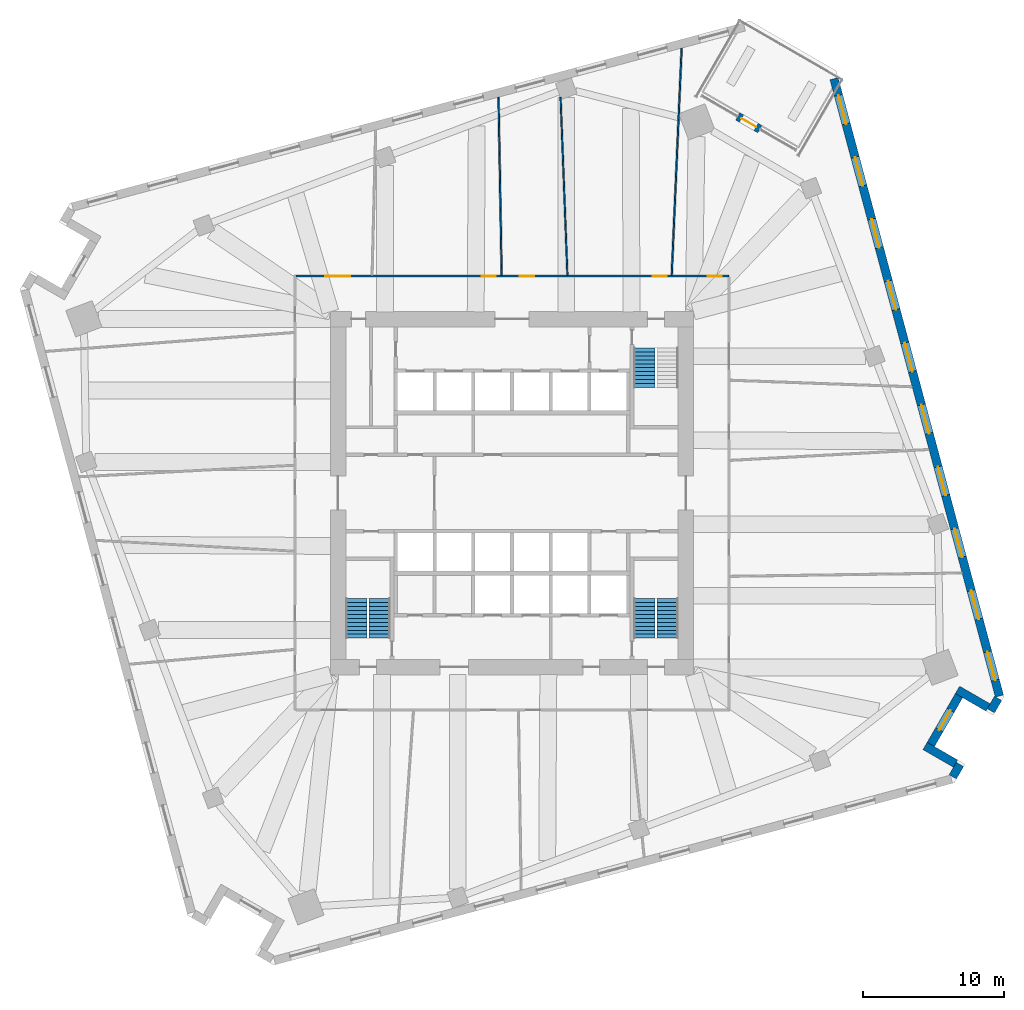
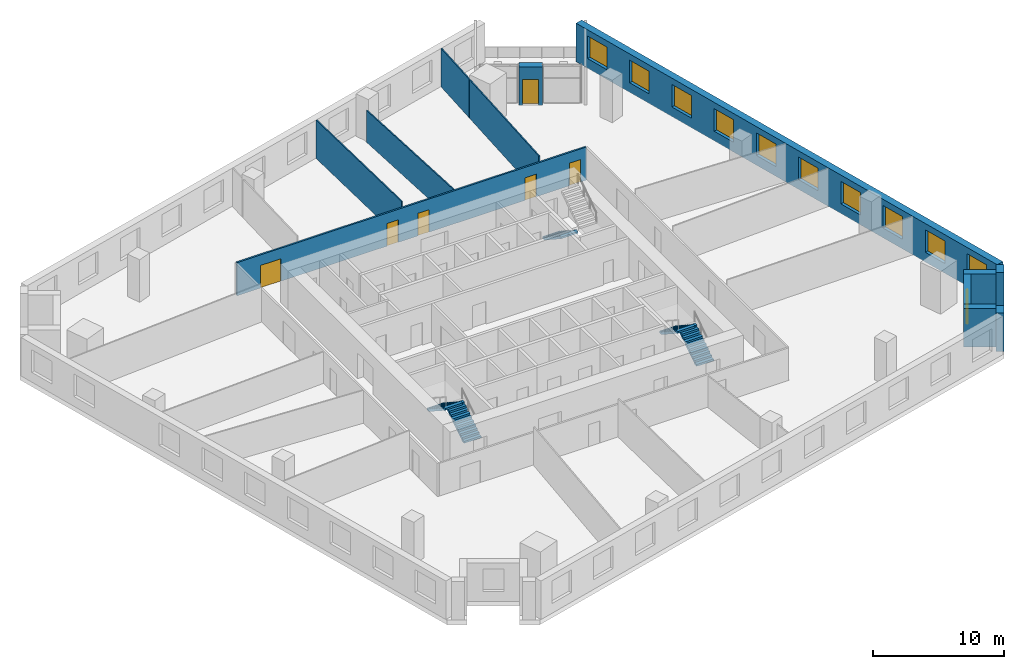
# One storey, part 10 of 13: 12 walls, 11 windows, 6 doors, 5 stair flights, 17 openings, 3 elements without a shape of their own.
"""IFC4 building model written with IfcOpenShell, lengths in metres."""

from ifc_helpers import new_model, si_unit, direction, frame, frame_2d, origin, place, context, subcontext, project, spatial, polyline, rectangle, outline, extrude, material, layer, layer_set, type_object, element, fill, aggregate, save


model = new_model("IFC4")

# Units and contexts
model_context = context("Model", 3, precision=1e-05, world=origin(), true_north=direction((0.0, 1.0)))
body_context = subcontext(model_context, "Body", "Model", "MODEL_VIEW")
ifc_project = project(units=[si_unit("LENGTHUNIT", "METRE"), si_unit("AREAUNIT", "SQUARE_METRE"), si_unit("VOLUMEUNIT", "CUBIC_METRE"), si_unit("PLANEANGLEUNIT", "RADIAN"), si_unit("MASSUNIT", "GRAM", prefix="KILO")], contexts=[model_context])

# Site, building, storey
site_placement = place(None, origin())
site = spatial("IfcSite", under=ifc_project, at=site_placement, CompositionType="ELEMENT")
building_placement = place(site_placement, origin())
building = spatial("IfcBuilding", under=site, at=building_placement, Name="Dilmun Exchange Tower", CompositionType="ELEMENT")
storey_placement = place(building_placement, frame((0.0, 0.0, 86.10009765625)))
storey = spatial("IfcBuildingStorey", under=building, at=storey_placement, Name="L19", CompositionType="ELEMENT", Elevation=86.10009765625)

# Wall, openings, doors
ifc_material_1 = material(Name="Corridor wall 150")
ifc_layer_1 = layer(ifc_material_1, 0.14990234375)
ifc_layer_set_1 = layer_set([ifc_layer_1], Name="Corridor wall 150")
wall_type_1 = type_object("IfcWallType", Name="Corridor wall 150", PredefinedType="PARTITIONING", material=ifc_layer_set_1)
wall_1_placement = place(storey_placement, frame((-15.324951171875, 15.39990234375, 0.0), z_axis=(0.0, 0.0, 1.0), x_axis=(1.0, 0.0, 0.0)))
wall_1 = element("IfcWall", 1, at=wall_1_placement, inside=storey, type_object=wall_type_1, Name="Corridor wall", PredefinedType="PARTITIONING", context=body_context, shape_type="SweptSolid", body=[
    extrude(rectangle(XDim=30.724853515625, YDim=0.14990234375, at=frame_2d((15.3623046875, 0.0))), origin(), (0.0, 0.0, 1.0), 3.079833984375),
])
opening_1_placement = place(wall_1_placement, frame((2.050048828125, 0.0, 0.0)))
opening_1 = element("IfcOpeningElement", 2, at=opening_1_placement, cuts=wall_1, Name="Opening TF18-D05", PredefinedType="OPENING", context=body_context, shape_type="SweptSolid", body=[
    extrude(rectangle(XDim=1.800048828125, YDim=2.10009765625, at=frame_2d((0.89990234375, 1.050048828125))), frame((0.0, 0.0849609375, 0.0), z_axis=(0.0, -1.0, 0.0), x_axis=(1.0, 0.0, 0.0)), (0.0, 0.0, 1.0), 0.169921875),
])
opening_2_placement = place(wall_1_placement, frame((13.18798828125, 0.0, 0.0)))
opening_2 = element("IfcOpeningElement", 3, at=opening_2_placement, cuts=wall_1, Name="Opening TF18-D09", PredefinedType="OPENING", context=body_context, shape_type="SweptSolid", body=[
    extrude(rectangle(XDim=1.0, YDim=2.10009765625, at=frame_2d((0.5, 1.050048828125))), frame((0.0, 0.0849609375, 0.0), z_axis=(0.0, -1.0, 0.0), x_axis=(1.0, 0.0, 0.0)), (0.0, 0.0, 1.0), 0.169921875),
])
opening_3_placement = place(wall_1_placement, frame((15.8916015625, 0.0, 0.0)))
opening_3 = element("IfcOpeningElement", 4, at=opening_3_placement, cuts=wall_1, Name="Opening TF18-D11", PredefinedType="OPENING", context=body_context, shape_type="SweptSolid", body=[
    extrude(rectangle(XDim=1.0, YDim=2.10009765625, at=frame_2d((0.5, 1.050048828125))), frame((0.0, 0.0849609375, 0.0), z_axis=(0.0, -1.0, 0.0), x_axis=(1.0, 0.0, 0.0)), (0.0, 0.0, 1.0), 0.169921875),
])
opening_4_placement = place(wall_1_placement, frame((25.311767578125, 0.0, 0.0)))
opening_4 = element("IfcOpeningElement", 5, at=opening_4_placement, cuts=wall_1, Name="Opening TF18-D13", PredefinedType="OPENING", context=body_context, shape_type="SweptSolid", body=[
    extrude(rectangle(XDim=1.0, YDim=2.10009765625, at=frame_2d((0.5, 1.050048828125))), frame((0.0, 0.0849609375, 0.0), z_axis=(0.0, -1.0, 0.0), x_axis=(1.0, 0.0, 0.0)), (0.0, 0.0, 1.0), 0.169921875),
])
opening_5_placement = place(wall_1_placement, frame((29.210693359375, 0.0, 0.0)))
opening_5 = element("IfcOpeningElement", 6, at=opening_5_placement, cuts=wall_1, Name="Opening TF18-D15", PredefinedType="OPENING", context=body_context, shape_type="SweptSolid", body=[
    extrude(rectangle(XDim=1.0, YDim=2.10009765625, at=frame_2d((0.5, 1.050048828125))), frame((0.0, 0.0849609375, 0.0), z_axis=(0.0, -1.0, 0.0), x_axis=(1.0, 0.0, 0.0)), (0.0, 0.0, 1.0), 0.169921875),
])
ifc_material_2 = material(Name="Fire door 1000 x 2100")
door_type_1 = type_object("IfcDoorType", Name="Fire door 1000 x 2100", OperationType="NOTDEFINED", PredefinedType="DOOR", material=ifc_material_2)
door_1_placement = place(opening_2_placement, origin())
door_1 = element("IfcDoor", 7, at=door_1_placement, inside=storey, type_object=door_type_1, Name="Door TF18-D09", OperationType="SINGLE_SWING_RIGHT", OverallHeight=2.10009765625, OverallWidth=1.0, PredefinedType="DOOR", context=body_context, shape_type="SweptSolid", body=[
    extrude(rectangle(XDim=1.0, YDim=2.10009765625, at=frame_2d((0.5, 1.050048828125))), frame((0.0, 0.02490234375, 0.0), z_axis=(0.0, -1.0, 0.0), x_axis=(1.0, 0.0, 0.0)), (0.0, 0.0, 1.0), 0.050048828125),
])
fill(opening_2, door_1)
door_2_placement = place(opening_3_placement, origin())
door_2 = element("IfcDoor", 8, at=door_2_placement, inside=storey, type_object=door_type_1, Name="Door TF18-D11", OperationType="SINGLE_SWING_LEFT", OverallHeight=2.10009765625, OverallWidth=1.0, PredefinedType="DOOR", context=body_context, shape_type="SweptSolid", body=[
    extrude(rectangle(XDim=1.0, YDim=2.10009765625, at=frame_2d((0.5, 1.050048828125))), frame((0.0, 0.02490234375, 0.0), z_axis=(0.0, -1.0, 0.0), x_axis=(1.0, 0.0, 0.0)), (0.0, 0.0, 1.0), 0.050048828125),
])
fill(opening_3, door_2)
door_3_placement = place(opening_4_placement, origin())
door_3 = element("IfcDoor", 9, at=door_3_placement, inside=storey, type_object=door_type_1, Name="Door TF18-D13", OperationType="SINGLE_SWING_RIGHT", OverallHeight=2.10009765625, OverallWidth=1.0, PredefinedType="DOOR", context=body_context, shape_type="SweptSolid", body=[
    extrude(rectangle(XDim=1.0, YDim=2.10009765625, at=frame_2d((0.5, 1.050048828125))), frame((0.0, 0.02490234375, 0.0), z_axis=(0.0, -1.0, 0.0), x_axis=(1.0, 0.0, 0.0)), (0.0, 0.0, 1.0), 0.050048828125),
])
fill(opening_4, door_3)
door_4_placement = place(opening_5_placement, origin())
door_4 = element("IfcDoor", 10, at=door_4_placement, inside=storey, type_object=door_type_1, Name="Door TF18-D15", OperationType="SINGLE_SWING_LEFT", OverallHeight=2.10009765625, OverallWidth=1.0, PredefinedType="DOOR", context=body_context, shape_type="SweptSolid", body=[
    extrude(rectangle(XDim=1.0, YDim=2.10009765625, at=frame_2d((0.5, 1.050048828125))), frame((0.0, 0.02490234375, 0.0), z_axis=(0.0, -1.0, 0.0), x_axis=(1.0, 0.0, 0.0)), (0.0, 0.0, 1.0), 0.050048828125),
])
fill(opening_5, door_4)
ifc_material_3 = material(Name="Fire door pair 1800 x 2100")
door_type_2 = type_object("IfcDoorType", Name="Fire door pair 1800 x 2100", OperationType="NOTDEFINED", PredefinedType="DOOR", material=ifc_material_3)
door_5_placement = place(opening_1_placement, origin())
door_5 = element("IfcDoor", 11, at=door_5_placement, inside=storey, type_object=door_type_2, Name="Door TF18-D05", OperationType="DOUBLE_DOOR_SINGLE_SWING", OverallHeight=2.10009765625, OverallWidth=1.800048828125, PredefinedType="DOOR", context=body_context, shape_type="SweptSolid", body=[
    extrude(rectangle(XDim=1.800048828125, YDim=2.10009765625, at=frame_2d((0.89990234375, 1.050048828125))), frame((0.0, 0.02490234375, 0.0), z_axis=(0.0, -1.0, 0.0), x_axis=(1.0, 0.0, 0.0)), (0.0, 0.0, 1.0), 0.050048828125),
])
fill(opening_1, door_5)

# Walls
ifc_material_4 = material(Name="Partition 100")
ifc_layer_2 = layer(ifc_material_4, 0.10009765625)
ifc_layer_set_2 = layer_set([ifc_layer_2], Name="Partition 100")
wall_type_2 = type_object("IfcWallType", Name="Partition 100", PredefinedType="PARTITIONING", material=ifc_layer_set_2)
wall_2_placement = place(storey_placement, frame((-0.9580078125, 28.10791015625, 0.0), z_axis=(0.0, 0.0, 1.0), x_axis=(0.017700788333, -0.999843328773, 0.0)))
element("IfcWall", 12, at=wall_2_placement, inside=storey, type_object=wall_type_2, Name="Partition", PredefinedType="PARTITIONING", context=body_context, shape_type="SweptSolid", body=[
    extrude(rectangle(XDim=12.634033203125, YDim=0.10009765625, at=frame_2d((6.31689453125, 0.0))), origin(), (0.0, 0.0, 1.0), 3.579833984375),
])
wall_3_placement = place(storey_placement, frame((3.44775390625, 28.089111328125, 0.0), z_axis=(0.0, 0.0, 1.0), x_axis=(0.038608436219, -0.999254416379, 0.0)))
element("IfcWall", 13, at=wall_3_placement, inside=storey, type_object=wall_type_2, Name="Partition", PredefinedType="PARTITIONING", context=body_context, shape_type="SweptSolid", body=[
    extrude(rectangle(XDim=12.621826171875, YDim=0.10009765625, at=frame_2d((6.31103515625, 0.0))), origin(), (0.0, 0.0, 1.0), 2.9599609375),
])
wall_4_placement = place(storey_placement, frame((11.33935546875, 15.477294921875, 0.0), z_axis=(0.0, 0.0, 1.0), x_axis=(0.04370366829, 0.999044538235, 0.0)))
element("IfcWall", 14, at=wall_4_placement, inside=storey, type_object=wall_type_2, Name="Partition", PredefinedType="PARTITIONING", context=body_context, shape_type="SweptSolid", body=[
    extrude(rectangle(XDim=11.451904296875, YDim=0.10009765625, at=frame_2d((5.72607421875, 0.0))), origin(), (0.0, 0.0, 1.0), 3.579833984375),
])
wall_5_placement = place(storey_placement, frame((11.8408203125, 26.939208984375, 0.0), z_axis=(0.0, 0.0, 1.0), x_axis=(0.04372159787, 0.999043753736, 0.0)))
element("IfcWall", 15, at=wall_5_placement, inside=storey, type_object=wall_type_2, Name="Partition", PredefinedType="PARTITIONING", context=body_context, shape_type="SweptSolid", body=[
    extrude(rectangle(XDim=4.656982421875, YDim=0.10009765625, at=frame_2d((2.32861328125, 0.0))), origin(), (0.0, 0.0, 1.0), 3.579833984375),
])
ifc_material_5 = material(Name="Precast concrete C50/60", Category="concrete")
ifc_layer_3 = layer(ifc_material_5, 0.60009765625)
ifc_layer_set_3 = layer_set([ifc_layer_3], Name="Precast concrete C50/60")
wall_type_3 = type_object("IfcWallType", Name="Precast stone-clad wall 600", PredefinedType="STANDARD", material=ifc_layer_set_3)
wall_6_placement = place(storey_placement, frame((31.29736328125, -20.14453125, 0.0), z_axis=(0.0, 0.0, 1.0), x_axis=(0.500008073096, 0.86602074273, 0.0)))
element("IfcWall", 16, at=wall_6_placement, inside=storey, type_object=wall_type_3, Name="Facade wall L19-16", PredefinedType="STANDARD", context=body_context, shape_type="SweptSolid", body=[
    extrude(rectangle(XDim=1.01123046875, YDim=0.60009765625, at=frame_2d((0.505615234375, 0.0))), origin(), (0.0, 0.0, 1.0), 3.579833984375),
])
wall_7_placement = place(storey_placement, frame((31.4931640625, -19.205322265625, 0.0), z_axis=(0.0, 0.0, 1.0), x_axis=(-0.866022959057, 0.500004234368, 0.0)))
element("IfcWall", 17, at=wall_7_placement, inside=storey, type_object=wall_type_3, Name="Facade wall L19-17", PredefinedType="STANDARD", context=body_context, shape_type="SweptSolid", body=[
    extrude(rectangle(XDim=2.5, YDim=0.60009765625, at=frame_2d((1.25, 0.0))), origin(), (0.0, 0.0, 1.0), 3.579833984375),
])

# Wall, opening, window
wall_8_placement = place(storey_placement, frame((29.738037109375, -17.845703125, 0.0), z_axis=(0.0, 0.0, 1.0), x_axis=(0.49999894854, 0.866026010844, 0.0)))
wall_8 = element("IfcWall", 18, at=wall_8_placement, inside=storey, type_object=wall_type_3, Name="Facade wall L19-18", PredefinedType="STANDARD", context=body_context, shape_type="SweptSolid", body=[
    extrude(rectangle(XDim=4.0, YDim=0.60009765625, at=frame_2d((2.0, 0.0))), origin(), (0.0, 0.0, 1.0), 3.579833984375),
])
opening_6_placement = place(wall_8_placement, frame((1.199951171875, 0.0, 0.89990234375)))
opening_6 = element("IfcOpeningElement", 19, at=opening_6_placement, cuts=wall_8, Name="Opening W160-210", PredefinedType="OPENING", context=body_context, shape_type="SweptSolid", body=[
    extrude(rectangle(XDim=1.60009765625, YDim=2.10009765625, at=frame_2d((0.800048828125, 1.050048828125))), frame((0.0, 0.31005859375, 0.0), z_axis=(0.0, -1.0, 0.0), x_axis=(1.0, 0.0, 0.0)), (0.0, 0.0, 1.0), 0.6201171875),
])
ifc_material_6 = material(Name="Clear low-emissivity glass in aluminium frame", Category="aluminium")
window_type_1 = type_object("IfcWindowType", Name="Punched window 1600 x 2100", PartitioningType="DOUBLE_PANEL_VERTICAL", PredefinedType="WINDOW", material=ifc_material_6)
window_1_placement = place(opening_6_placement, origin())
window_1 = element("IfcWindow", 20, at=window_1_placement, inside=storey, type_object=window_type_1, Name="Window 19.1", OverallHeight=2.10009765625, OverallWidth=1.60009765625, PartitioningType="SINGLE_PANEL", PredefinedType="WINDOW", context=body_context, shape_type="SweptSolid", body=[
    extrude(rectangle(XDim=1.60009765625, YDim=2.10009765625, at=frame_2d((0.800048828125, 1.050048828125))), frame((0.0, 0.030029296875, 0.0), z_axis=(0.0, -1.0, 0.0), x_axis=(1.0, 0.0, 0.0)), (0.0, 0.0, 1.0), 0.06005859375),
])
fill(opening_6, window_1)

# Walls
wall_9_placement = place(storey_placement, frame((31.628173828125, -13.9716796875, 0.0), z_axis=(0.0, 0.0, 1.0), x_axis=(0.866022959057, -0.500004234368, 0.0)))
element("IfcWall", 21, at=wall_9_placement, inside=storey, type_object=wall_type_3, Name="Facade wall L19-19", PredefinedType="STANDARD", context=body_context, shape_type="SweptSolid", body=[
    extrude(rectangle(XDim=2.5, YDim=0.60009765625, at=frame_2d((1.25, 0.0))), origin(), (0.0, 0.0, 1.0), 3.579833984375),
])
wall_10_placement = place(storey_placement, frame((34.0029296875, -15.458251953125, 0.0), z_axis=(0.0, 0.0, 1.0), x_axis=(0.500189113229, 0.865916191676, 0.0)))
element("IfcWall", 22, at=wall_10_placement, inside=storey, type_object=wall_type_3, Name="Facade wall L19-20", PredefinedType="STANDARD", context=body_context, shape_type="SweptSolid", body=[
    extrude(rectangle(XDim=1.01123046875, YDim=0.60009765625, at=frame_2d((0.505615234375, 0.0))), origin(), (0.0, 0.0, 1.0), 3.579833984375),
])

# Wall, openings, windows
wall_11_placement = place(storey_placement, frame((34.608642578125, -14.4091796875, 0.0), z_axis=(0.0, 0.0, 1.0), x_axis=(-0.258819814566, 0.965925620112, 0.0)))
wall_11 = element("IfcWall", 23, at=wall_11_placement, inside=storey, type_object=wall_type_3, Name="Facade wall L19-21", PredefinedType="STANDARD", context=body_context, shape_type="SweptSolid", body=[
    extrude(rectangle(XDim=45.375732421875, YDim=0.60009765625, at=frame_2d((22.68798828125, 0.0))), origin(), (0.0, 0.0, 1.0), 3.579833984375),
])
opening_7_placement = place(wall_11_placement, frame((1.162841796875, 0.0, 0.89990234375)))
opening_7 = element("IfcOpeningElement", 24, at=opening_7_placement, cuts=wall_11, Name="Opening W210-210", PredefinedType="OPENING", context=body_context, shape_type="SweptSolid", body=[
    extrude(rectangle(XDim=2.10009765625, YDim=2.10009765625, at=frame_2d((1.050048828125, 1.050048828125))), frame((0.0, 0.31005859375, 0.0), z_axis=(0.0, -1.0, 0.0), x_axis=(1.0, 0.0, 0.0)), (0.0, 0.0, 1.0), 0.6201171875),
])
opening_8_placement = place(wall_11_placement, frame((5.650634765625, 0.0, 0.89990234375)))
opening_8 = element("IfcOpeningElement", 25, at=opening_8_placement, cuts=wall_11, Name="Opening W210-210", PredefinedType="OPENING", context=body_context, shape_type="SweptSolid", body=[
    extrude(rectangle(XDim=2.10009765625, YDim=2.10009765625, at=frame_2d((1.050048828125, 1.050048828125))), frame((0.0, 0.31005859375, 0.0), z_axis=(0.0, -1.0, 0.0), x_axis=(1.0, 0.0, 0.0)), (0.0, 0.0, 1.0), 0.6201171875),
])
opening_9_placement = place(wall_11_placement, frame((10.20068359375, 0.0, 0.89990234375)))
opening_9 = element("IfcOpeningElement", 26, at=opening_9_placement, cuts=wall_11, Name="Opening W210-210", PredefinedType="OPENING", context=body_context, shape_type="SweptSolid", body=[
    extrude(rectangle(XDim=2.10009765625, YDim=2.10009765625, at=frame_2d((1.050048828125, 1.050048828125))), frame((0.0, 0.31005859375, 0.0), z_axis=(0.0, -1.0, 0.0), x_axis=(1.0, 0.0, 0.0)), (0.0, 0.0, 1.0), 0.6201171875),
])
opening_10_placement = place(wall_11_placement, frame((14.750732421875, 0.0, 0.89990234375)))
opening_10 = element("IfcOpeningElement", 27, at=opening_10_placement, cuts=wall_11, Name="Opening W210-210", PredefinedType="OPENING", context=body_context, shape_type="SweptSolid", body=[
    extrude(rectangle(XDim=2.10009765625, YDim=2.10009765625, at=frame_2d((1.050048828125, 1.050048828125))), frame((0.0, 0.31005859375, 0.0), z_axis=(0.0, -1.0, 0.0), x_axis=(1.0, 0.0, 0.0)), (0.0, 0.0, 1.0), 0.6201171875),
])
opening_11_placement = place(wall_11_placement, frame((19.30078125, 0.0, 0.89990234375)))
opening_11 = element("IfcOpeningElement", 28, at=opening_11_placement, cuts=wall_11, Name="Opening W210-210", PredefinedType="OPENING", context=body_context, shape_type="SweptSolid", body=[
    extrude(rectangle(XDim=2.10009765625, YDim=2.10009765625, at=frame_2d((1.050048828125, 1.050048828125))), frame((0.0, 0.31005859375, 0.0), z_axis=(0.0, -1.0, 0.0), x_axis=(1.0, 0.0, 0.0)), (0.0, 0.0, 1.0), 0.6201171875),
])
opening_12_placement = place(wall_11_placement, frame((23.8505859375, 0.0, 0.89990234375)))
opening_12 = element("IfcOpeningElement", 29, at=opening_12_placement, cuts=wall_11, Name="Opening W210-210", PredefinedType="OPENING", context=body_context, shape_type="SweptSolid", body=[
    extrude(rectangle(XDim=2.10009765625, YDim=2.10009765625, at=frame_2d((1.050048828125, 1.050048828125))), frame((0.0, 0.31005859375, 0.0), z_axis=(0.0, -1.0, 0.0), x_axis=(1.0, 0.0, 0.0)), (0.0, 0.0, 1.0), 0.6201171875),
])
opening_13_placement = place(wall_11_placement, frame((28.400634765625, 0.0, 0.89990234375)))
opening_13 = element("IfcOpeningElement", 30, at=opening_13_placement, cuts=wall_11, Name="Opening W210-210", PredefinedType="OPENING", context=body_context, shape_type="SweptSolid", body=[
    extrude(rectangle(XDim=2.10009765625, YDim=2.10009765625, at=frame_2d((1.050048828125, 1.050048828125))), frame((0.0, 0.31005859375, 0.0), z_axis=(0.0, -1.0, 0.0), x_axis=(1.0, 0.0, 0.0)), (0.0, 0.0, 1.0), 0.6201171875),
])
opening_14_placement = place(wall_11_placement, frame((32.95068359375, 0.0, 0.89990234375)))
opening_14 = element("IfcOpeningElement", 31, at=opening_14_placement, cuts=wall_11, Name="Opening W210-210", PredefinedType="OPENING", context=body_context, shape_type="SweptSolid", body=[
    extrude(rectangle(XDim=2.10009765625, YDim=2.10009765625, at=frame_2d((1.050048828125, 1.050048828125))), frame((0.0, 0.31005859375, 0.0), z_axis=(0.0, -1.0, 0.0), x_axis=(1.0, 0.0, 0.0)), (0.0, 0.0, 1.0), 0.6201171875),
])
opening_15_placement = place(wall_11_placement, frame((37.500732421875, 0.0, 0.89990234375)))
opening_15 = element("IfcOpeningElement", 32, at=opening_15_placement, cuts=wall_11, Name="Opening W210-210", PredefinedType="OPENING", context=body_context, shape_type="SweptSolid", body=[
    extrude(rectangle(XDim=2.10009765625, YDim=2.10009765625, at=frame_2d((1.050048828125, 1.050048828125))), frame((0.0, 0.31005859375, 0.0), z_axis=(0.0, -1.0, 0.0), x_axis=(1.0, 0.0, 0.0)), (0.0, 0.0, 1.0), 0.6201171875),
])
opening_16_placement = place(wall_11_placement, frame((42.05078125, 0.0, 0.89990234375)))
opening_16 = element("IfcOpeningElement", 33, at=opening_16_placement, cuts=wall_11, Name="Opening W210-210", PredefinedType="OPENING", context=body_context, shape_type="SweptSolid", body=[
    extrude(rectangle(XDim=2.10009765625, YDim=2.10009765625, at=frame_2d((1.050048828125, 1.050048828125))), frame((0.0, 0.31005859375, 0.0), z_axis=(0.0, -1.0, 0.0), x_axis=(1.0, 0.0, 0.0)), (0.0, 0.0, 1.0), 0.6201171875),
])
window_type_2 = type_object("IfcWindowType", Name="Punched window 2100 x 2100", PartitioningType="DOUBLE_PANEL_VERTICAL", PredefinedType="WINDOW", material=ifc_material_6)
window_2_placement = place(opening_7_placement, origin())
window_2 = element("IfcWindow", 34, at=window_2_placement, inside=storey, type_object=window_type_2, Name="Window 22.1", OverallHeight=2.10009765625, OverallWidth=2.10009765625, PartitioningType="SINGLE_PANEL", PredefinedType="WINDOW", context=body_context, shape_type="SweptSolid", body=[
    extrude(rectangle(XDim=2.10009765625, YDim=2.10009765625, at=frame_2d((1.050048828125, 1.050048828125))), frame((0.0, 0.030029296875, 0.0), z_axis=(0.0, -1.0, 0.0), x_axis=(1.0, 0.0, 0.0)), (0.0, 0.0, 1.0), 0.06005859375),
])
fill(opening_7, window_2)
window_3_placement = place(opening_8_placement, origin())
window_3 = element("IfcWindow", 35, at=window_3_placement, inside=storey, type_object=window_type_2, Name="Window 22.2", OverallHeight=2.10009765625, OverallWidth=2.10009765625, PartitioningType="SINGLE_PANEL", PredefinedType="WINDOW", context=body_context, shape_type="SweptSolid", body=[
    extrude(rectangle(XDim=2.10009765625, YDim=2.10009765625, at=frame_2d((1.050048828125, 1.050048828125))), frame((0.0, 0.030029296875, 0.0), z_axis=(0.0, -1.0, 0.0), x_axis=(1.0, 0.0, 0.0)), (0.0, 0.0, 1.0), 0.06005859375),
])
fill(opening_8, window_3)
window_4_placement = place(opening_9_placement, origin())
window_4 = element("IfcWindow", 36, at=window_4_placement, inside=storey, type_object=window_type_2, Name="Window 22.3", OverallHeight=2.10009765625, OverallWidth=2.10009765625, PartitioningType="SINGLE_PANEL", PredefinedType="WINDOW", context=body_context, shape_type="SweptSolid", body=[
    extrude(rectangle(XDim=2.10009765625, YDim=2.10009765625, at=frame_2d((1.050048828125, 1.050048828125))), frame((0.0, 0.030029296875, 0.0), z_axis=(0.0, -1.0, 0.0), x_axis=(1.0, 0.0, 0.0)), (0.0, 0.0, 1.0), 0.06005859375),
])
fill(opening_9, window_4)
window_5_placement = place(opening_10_placement, origin())
window_5 = element("IfcWindow", 37, at=window_5_placement, inside=storey, type_object=window_type_2, Name="Window 22.4", OverallHeight=2.10009765625, OverallWidth=2.10009765625, PartitioningType="SINGLE_PANEL", PredefinedType="WINDOW", context=body_context, shape_type="SweptSolid", body=[
    extrude(rectangle(XDim=2.10009765625, YDim=2.10009765625, at=frame_2d((1.050048828125, 1.050048828125))), frame((0.0, 0.030029296875, 0.0), z_axis=(0.0, -1.0, 0.0), x_axis=(1.0, 0.0, 0.0)), (0.0, 0.0, 1.0), 0.06005859375),
])
fill(opening_10, window_5)
window_6_placement = place(opening_11_placement, origin())
window_6 = element("IfcWindow", 38, at=window_6_placement, inside=storey, type_object=window_type_2, Name="Window 22.5", OverallHeight=2.10009765625, OverallWidth=2.10009765625, PartitioningType="SINGLE_PANEL", PredefinedType="WINDOW", context=body_context, shape_type="SweptSolid", body=[
    extrude(rectangle(XDim=2.10009765625, YDim=2.10009765625, at=frame_2d((1.050048828125, 1.050048828125))), frame((0.0, 0.030029296875, 0.0), z_axis=(0.0, -1.0, 0.0), x_axis=(1.0, 0.0, 0.0)), (0.0, 0.0, 1.0), 0.06005859375),
])
fill(opening_11, window_6)
window_7_placement = place(opening_12_placement, origin())
window_7 = element("IfcWindow", 39, at=window_7_placement, inside=storey, type_object=window_type_2, Name="Window 22.6", OverallHeight=2.10009765625, OverallWidth=2.10009765625, PartitioningType="SINGLE_PANEL", PredefinedType="WINDOW", context=body_context, shape_type="SweptSolid", body=[
    extrude(rectangle(XDim=2.10009765625, YDim=2.10009765625, at=frame_2d((1.050048828125, 1.050048828125))), frame((0.0, 0.030029296875, 0.0), z_axis=(0.0, -1.0, 0.0), x_axis=(1.0, 0.0, 0.0)), (0.0, 0.0, 1.0), 0.06005859375),
])
fill(opening_12, window_7)
window_8_placement = place(opening_13_placement, origin())
window_8 = element("IfcWindow", 40, at=window_8_placement, inside=storey, type_object=window_type_2, Name="Window 22.7", OverallHeight=2.10009765625, OverallWidth=2.10009765625, PartitioningType="SINGLE_PANEL", PredefinedType="WINDOW", context=body_context, shape_type="SweptSolid", body=[
    extrude(rectangle(XDim=2.10009765625, YDim=2.10009765625, at=frame_2d((1.050048828125, 1.050048828125))), frame((0.0, 0.030029296875, 0.0), z_axis=(0.0, -1.0, 0.0), x_axis=(1.0, 0.0, 0.0)), (0.0, 0.0, 1.0), 0.06005859375),
])
fill(opening_13, window_8)
window_9_placement = place(opening_14_placement, origin())
window_9 = element("IfcWindow", 41, at=window_9_placement, inside=storey, type_object=window_type_2, Name="Window 22.8", OverallHeight=2.10009765625, OverallWidth=2.10009765625, PartitioningType="SINGLE_PANEL", PredefinedType="WINDOW", context=body_context, shape_type="SweptSolid", body=[
    extrude(rectangle(XDim=2.10009765625, YDim=2.10009765625, at=frame_2d((1.050048828125, 1.050048828125))), frame((0.0, 0.030029296875, 0.0), z_axis=(0.0, -1.0, 0.0), x_axis=(1.0, 0.0, 0.0)), (0.0, 0.0, 1.0), 0.06005859375),
])
fill(opening_14, window_9)
window_10_placement = place(opening_15_placement, origin())
window_10 = element("IfcWindow", 42, at=window_10_placement, inside=storey, type_object=window_type_2, Name="Window 22.9", OverallHeight=2.10009765625, OverallWidth=2.10009765625, PartitioningType="SINGLE_PANEL", PredefinedType="WINDOW", context=body_context, shape_type="SweptSolid", body=[
    extrude(rectangle(XDim=2.10009765625, YDim=2.10009765625, at=frame_2d((1.050048828125, 1.050048828125))), frame((0.0, 0.030029296875, 0.0), z_axis=(0.0, -1.0, 0.0), x_axis=(1.0, 0.0, 0.0)), (0.0, 0.0, 1.0), 0.06005859375),
])
fill(opening_15, window_10)
window_11_placement = place(opening_16_placement, origin())
window_11 = element("IfcWindow", 43, at=window_11_placement, inside=storey, type_object=window_type_2, Name="Window 22.10", OverallHeight=2.10009765625, OverallWidth=2.10009765625, PartitioningType="SINGLE_PANEL", PredefinedType="WINDOW", context=body_context, shape_type="SweptSolid", body=[
    extrude(rectangle(XDim=2.10009765625, YDim=2.10009765625, at=frame_2d((1.050048828125, 1.050048828125))), frame((0.0, 0.030029296875, 0.0), z_axis=(0.0, -1.0, 0.0), x_axis=(1.0, 0.0, 0.0)), (0.0, 0.0, 1.0), 0.06005859375),
])
fill(opening_16, window_11)

# Wall, opening, door
wall_12_placement = place(storey_placement, frame((17.592529296875, 25.8427734375, 0.0), z_axis=(0.0, 0.0, 1.0), x_axis=(-0.866047807691, 0.499961193289, 0.0)))
wall_12 = element("IfcWall", 44, at=wall_12_placement, inside=storey, type_object=wall_type_3, Name="Facade wall L19-01-D", PredefinedType="STANDARD", context=body_context, shape_type="SweptSolid", body=[
    extrude(rectangle(XDim=1.800048828125, YDim=0.60009765625, at=frame_2d((0.89990234375, 0.0))), origin(), (0.0, 0.0, 1.0), 3.579833984375),
])
opening_17_placement = place(wall_12_placement, frame((0.300048828125, 0.0, 0.0)))
opening_17 = element("IfcOpeningElement", 45, at=opening_17_placement, cuts=wall_12, Name="Opening GD-1", PredefinedType="OPENING", context=body_context, shape_type="SweptSolid", body=[
    extrude(rectangle(XDim=1.199951171875, YDim=2.39990234375, at=frame_2d((0.60009765625, 1.199951171875))), frame((0.0, 0.31005859375, 0.0), z_axis=(0.0, -1.0, 0.0), x_axis=(1.0, 0.0, 0.0)), (0.0, 0.0, 1.0), 0.6201171875),
])
door_type_3 = type_object("IfcDoorType", Name="Glazed garden door 1200 x 2400", OperationType="SINGLE_SWING_LEFT", PredefinedType="DOOR", material=ifc_material_6)
door_6_placement = place(opening_17_placement, origin())
door_6 = element("IfcDoor", 46, at=door_6_placement, inside=storey, type_object=door_type_3, Name="Garden terrace door", OperationType="SINGLE_SWING_LEFT", OverallHeight=2.39990234375, OverallWidth=1.199951171875, PredefinedType="DOOR", context=body_context, shape_type="SweptSolid", body=[
    extrude(rectangle(XDim=1.199951171875, YDim=2.39990234375, at=frame_2d((0.60009765625, 1.199951171875))), frame((0.0, 0.02490234375, 0.0), z_axis=(0.0, -1.0, 0.0), x_axis=(1.0, 0.0, 0.0)), (0.0, 0.0, 1.0), 0.050048828125),
])
fill(opening_17, door_6)

# Stair, stair flight
ifc_material_7 = material(Name="Concrete C40/50", Category="concrete")
stair_type = type_object("IfcStairType", Name="Exit stair 1500 half-turn", PredefinedType="HALF_TURN_STAIR", material=ifc_material_7)
stair_1_placement = place(storey_placement, origin())
stair_1 = element("IfcStair", 47, at=stair_1_placement, inside=storey, type_object=stair_type, Name="L19 Protected exit stair ST1", PredefinedType="HALF_TURN_STAIR")
stair_flight_type = type_object("IfcStairFlightType", Name="Exit stair flight 1500", PredefinedType="STRAIGHT", material=ifc_material_7)
stair_flight_1_placement = place(storey_placement, frame((9.39990234375, 10.300048828125, 0.0), z_axis=(0.0, 0.0, 1.0), x_axis=(0.0, -1.0, 0.0)))
stair_flight_1 = element("IfcStairFlight", 48, at=stair_flight_1_placement, type_object=stair_flight_type, Name="ST1 flight 1", NumberOfRisers=11, NumberOfTreads=10, PredefinedType="STRAIGHT", RiserHeight=0.181818182, TreadLength=0.28, context=body_context, shape_type="SweptSolid", body=[
    extrude(outline(polyline([(0.0, 0.0), (0.0, 0.181884765625), (0.280029296875, 0.181884765625), (0.280029296875, 0.363525390625), (0.56005859375, 0.363525390625), (0.56005859375, 0.54541015625), (0.840087890625, 0.54541015625), (0.840087890625, 0.727294921875), (1.1201171875, 0.727294921875), (1.1201171875, 0.9091796875), (1.39990234375, 0.9091796875), (1.39990234375, 1.0908203125), (1.679931640625, 1.0908203125), (1.679931640625, 1.272705078125), (1.9599609375, 1.272705078125), (1.9599609375, 1.45458984375), (2.239990234375, 1.45458984375), (2.239990234375, 1.636474609375), (2.52001953125, 1.636474609375), (2.52001953125, 1.818115234375), (2.800048828125, 1.818115234375), (2.800048828125, 2.0), (2.800048828125, 1.639404296875), (0.275146484375, 0.0), (0.0, 0.0)])), frame((0.0, 0.75, 0.0), z_axis=(0.0, -1.0, 0.0), x_axis=(1.0, 0.0, 0.0)), (0.0, 0.0, 1.0), 1.5),
])
aggregate(stair_1, [stair_flight_1])

# Stair, stair flights
stair_2_placement = place(storey_placement, origin())
stair_2 = element("IfcStair", 49, at=stair_2_placement, inside=storey, type_object=stair_type, Name="L19 Protected exit stair ST2", PredefinedType="HALF_TURN_STAIR")
stair_flight_2_placement = place(storey_placement, frame((-9.39990234375, -10.300048828125, 0.0), z_axis=(0.0, 0.0, 1.0), x_axis=(0.0, 1.0, 0.0)))
stair_flight_2 = element("IfcStairFlight", 50, at=stair_flight_2_placement, type_object=stair_flight_type, Name="ST2 flight 1", NumberOfRisers=11, NumberOfTreads=10, PredefinedType="STRAIGHT", RiserHeight=0.181818182, TreadLength=0.28, context=body_context, shape_type="SweptSolid", body=[
    extrude(outline(polyline([(0.0, 0.0), (0.0, 0.181884765625), (0.280029296875, 0.181884765625), (0.280029296875, 0.363525390625), (0.56005859375, 0.363525390625), (0.56005859375, 0.54541015625), (0.840087890625, 0.54541015625), (0.840087890625, 0.727294921875), (1.1201171875, 0.727294921875), (1.1201171875, 0.9091796875), (1.39990234375, 0.9091796875), (1.39990234375, 1.0908203125), (1.679931640625, 1.0908203125), (1.679931640625, 1.272705078125), (1.9599609375, 1.272705078125), (1.9599609375, 1.45458984375), (2.239990234375, 1.45458984375), (2.239990234375, 1.636474609375), (2.52001953125, 1.636474609375), (2.52001953125, 1.818115234375), (2.800048828125, 1.818115234375), (2.800048828125, 2.0), (2.800048828125, 1.639404296875), (0.275146484375, 0.0), (0.0, 0.0)])), frame((0.0, 0.75, 0.0), z_axis=(0.0, -1.0, 0.0), x_axis=(1.0, 0.0, 0.0)), (0.0, 0.0, 1.0), 1.5),
])
stair_flight_3_placement = place(storey_placement, frame((-11.050048828125, -7.5, 2.0), z_axis=(0.0, 0.0, 1.0), x_axis=(0.0, -1.0, 0.0)))
stair_flight_3 = element("IfcStairFlight", 51, at=stair_flight_3_placement, type_object=stair_flight_type, Name="ST2 flight 2", NumberOfRisers=11, NumberOfTreads=10, PredefinedType="STRAIGHT", RiserHeight=0.181818182, TreadLength=0.28, context=body_context, shape_type="SweptSolid", body=[
    extrude(outline(polyline([(0.0, 0.0), (0.0, 0.181884765625), (0.280029296875, 0.181884765625), (0.280029296875, 0.363525390625), (0.56005859375, 0.363525390625), (0.56005859375, 0.54541015625), (0.840087890625, 0.54541015625), (0.840087890625, 0.727294921875), (1.1201171875, 0.727294921875), (1.1201171875, 0.9091796875), (1.39990234375, 0.9091796875), (1.39990234375, 1.0908203125), (1.679931640625, 1.0908203125), (1.679931640625, 1.272705078125), (1.9599609375, 1.272705078125), (1.9599609375, 1.45458984375), (2.239990234375, 1.45458984375), (2.239990234375, 1.636474609375), (2.52001953125, 1.636474609375), (2.52001953125, 1.818115234375), (2.800048828125, 1.818115234375), (2.800048828125, 2.0), (2.800048828125, 1.639404296875), (0.275146484375, 0.0), (0.0, 0.0)])), frame((0.0, 0.75, 0.0), z_axis=(0.0, -1.0, 0.0), x_axis=(1.0, 0.0, 0.0)), (0.0, 0.0, 1.0), 1.5),
])
aggregate(stair_2, [stair_flight_2, stair_flight_3])

stair_3_placement = place(storey_placement, origin())
stair_3 = element("IfcStair", 52, at=stair_3_placement, inside=storey, type_object=stair_type, Name="L19 Protected exit stair ST3", PredefinedType="HALF_TURN_STAIR")
stair_flight_4_placement = place(storey_placement, frame((11.050048828125, -10.300048828125, 0.0), z_axis=(0.0, 0.0, 1.0), x_axis=(0.0, 1.0, 0.0)))
stair_flight_4 = element("IfcStairFlight", 53, at=stair_flight_4_placement, type_object=stair_flight_type, Name="ST3 flight 1", NumberOfRisers=11, NumberOfTreads=10, PredefinedType="STRAIGHT", RiserHeight=0.181818182, TreadLength=0.28, context=body_context, shape_type="SweptSolid", body=[
    extrude(outline(polyline([(0.0, 0.0), (0.0, 0.181884765625), (0.280029296875, 0.181884765625), (0.280029296875, 0.363525390625), (0.56005859375, 0.363525390625), (0.56005859375, 0.54541015625), (0.840087890625, 0.54541015625), (0.840087890625, 0.727294921875), (1.1201171875, 0.727294921875), (1.1201171875, 0.9091796875), (1.39990234375, 0.9091796875), (1.39990234375, 1.0908203125), (1.679931640625, 1.0908203125), (1.679931640625, 1.272705078125), (1.9599609375, 1.272705078125), (1.9599609375, 1.45458984375), (2.239990234375, 1.45458984375), (2.239990234375, 1.636474609375), (2.52001953125, 1.636474609375), (2.52001953125, 1.818115234375), (2.800048828125, 1.818115234375), (2.800048828125, 2.0), (2.800048828125, 1.639404296875), (0.275146484375, 0.0), (0.0, 0.0)])), frame((0.0, 0.75, 0.0), z_axis=(0.0, -1.0, 0.0), x_axis=(1.0, 0.0, 0.0)), (0.0, 0.0, 1.0), 1.5),
])
stair_flight_5_placement = place(storey_placement, frame((9.39990234375, -7.5, 2.0), z_axis=(0.0, 0.0, 1.0), x_axis=(0.0, -1.0, 0.0)))
stair_flight_5 = element("IfcStairFlight", 54, at=stair_flight_5_placement, type_object=stair_flight_type, Name="ST3 flight 2", NumberOfRisers=11, NumberOfTreads=10, PredefinedType="STRAIGHT", RiserHeight=0.181818182, TreadLength=0.28, context=body_context, shape_type="SweptSolid", body=[
    extrude(outline(polyline([(0.0, 0.0), (0.0, 0.181884765625), (0.280029296875, 0.181884765625), (0.280029296875, 0.363525390625), (0.56005859375, 0.363525390625), (0.56005859375, 0.54541015625), (0.840087890625, 0.54541015625), (0.840087890625, 0.727294921875), (1.1201171875, 0.727294921875), (1.1201171875, 0.9091796875), (1.39990234375, 0.9091796875), (1.39990234375, 1.0908203125), (1.679931640625, 1.0908203125), (1.679931640625, 1.272705078125), (1.9599609375, 1.272705078125), (1.9599609375, 1.45458984375), (2.239990234375, 1.45458984375), (2.239990234375, 1.636474609375), (2.52001953125, 1.636474609375), (2.52001953125, 1.818115234375), (2.800048828125, 1.818115234375), (2.800048828125, 2.0), (2.800048828125, 1.639404296875), (0.275146484375, 0.0), (0.0, 0.0)])), frame((0.0, 0.75, 0.0), z_axis=(0.0, -1.0, 0.0), x_axis=(1.0, 0.0, 0.0)), (0.0, 0.0, 1.0), 1.5),
])
aggregate(stair_3, [stair_flight_4, stair_flight_5])

save(model, "model.ifc")
